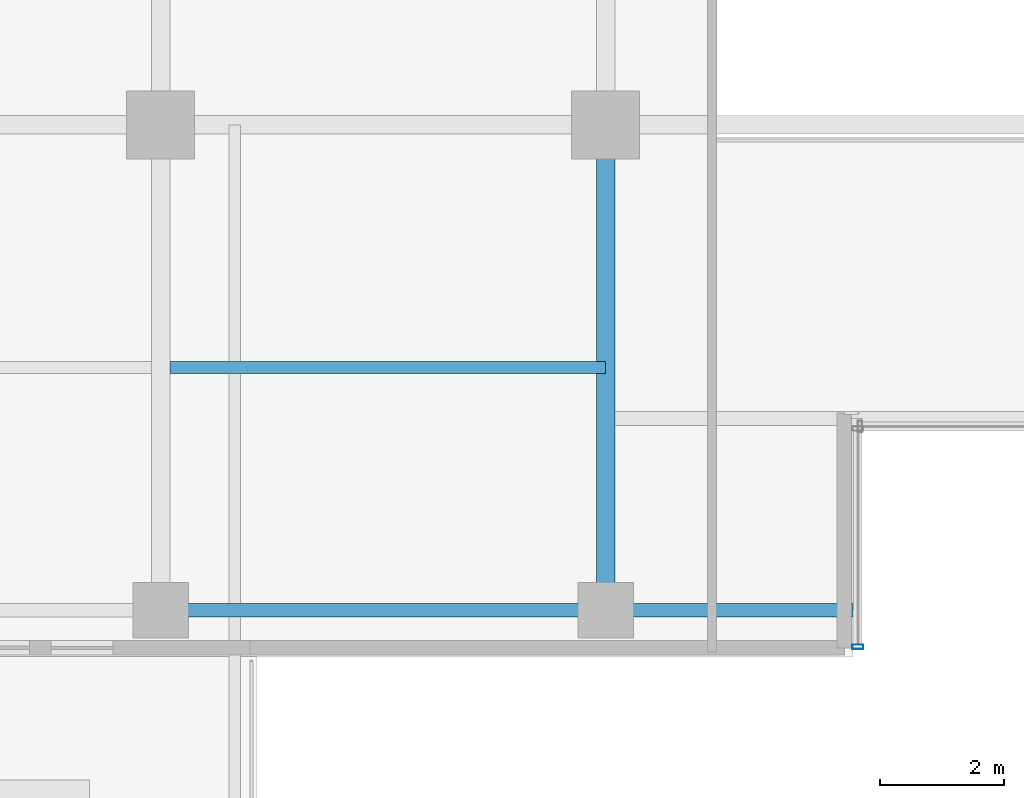
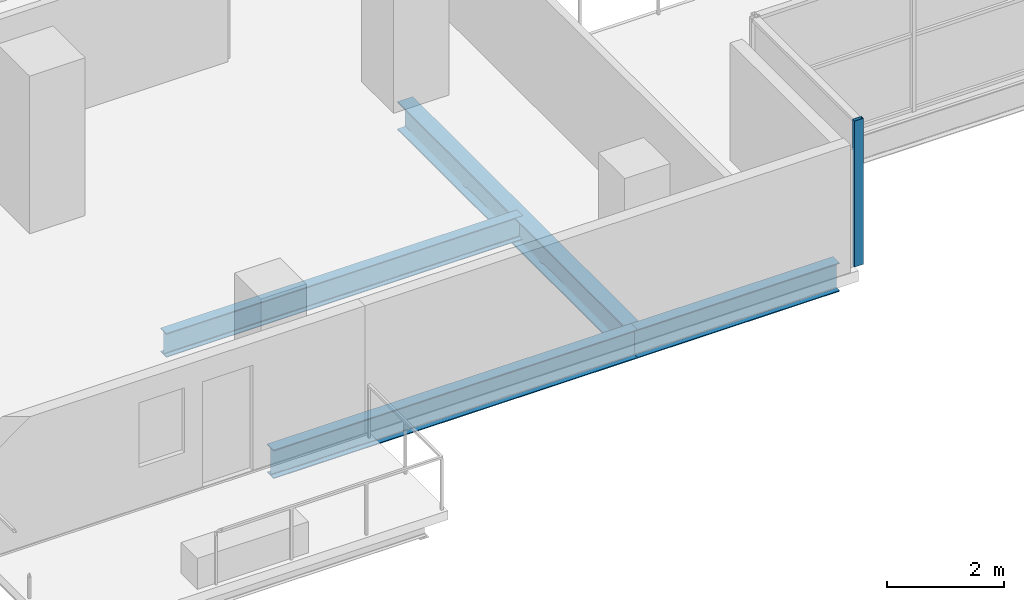
# One storey, part 5 of 26: 4 beams, 1 member, 1 element without a shape of its own.
"""IFC4 building model written with IfcOpenShell, lengths in metres."""

from ifc_helpers import new_model, si_unit, direction, frame, origin, origin_2d, place, context, subcontext, project, spatial, hollow_rectangle, i_section, extrude, source, transform, mapped, material, layer, layer_set, material_profile, profile_set, type_object, element, aggregate, save


model = new_model("IFC4")

# Units and contexts
model_context = context("Model", 3, precision=1e-05, world=origin(), true_north=direction((0.0, 1.0)))
body_context = subcontext(model_context, "Body", "Model", "MODEL_VIEW")
ifc_project = project(units=[si_unit("LENGTHUNIT", "METRE"), si_unit("AREAUNIT", "SQUARE_METRE"), si_unit("VOLUMEUNIT", "CUBIC_METRE"), si_unit("PLANEANGLEUNIT", "RADIAN"), si_unit("MASSUNIT", "GRAM", prefix="KILO")], contexts=[model_context])

# Site, building, storey
site_placement = place(None, origin())
site = spatial("IfcSite", under=ifc_project, at=site_placement, CompositionType="ELEMENT")
building_placement = place(site_placement, origin())
building = spatial("IfcBuilding", under=site, at=building_placement, Name="Zarnakvel Exchange Tower", CompositionType="ELEMENT")
storey_placement = place(building_placement, frame((0.0, 0.0, 70.300048828125)))
storey = spatial("IfcBuildingStorey", under=building, at=storey_placement, Name="L19", CompositionType="ELEMENT", Elevation=70.300048828125)

# Beams
ifc_material_1 = material(Name="Steel S355", Category="steel")
ifc_material_profile_1 = material_profile(ifc_material_1, i_section(OverallWidth=0.199951171875, OverallDepth=0.5, WebThickness=0.01025390625, FlangeThickness=0.01611328125, FilletRadius=0.02099609375, at=origin_2d()))
ifc_profile_set_1 = profile_set([ifc_material_profile_1], Name="Steel S355")
beam_type_1 = type_object("IfcBeamType", Name="B-04", PredefinedType="JOIST", material=ifc_profile_set_1)
beam_1_placement = place(storey_placement, frame((-14.25, -13.52490234375, -0.47509765625), z_axis=(1.0, 0.0, 0.0), x_axis=(0.0, 1.0, 0.0)))
element("IfcBeam", 1, at=beam_1_placement, inside=storey, type_object=beam_type_1, Name="L19 Composite Floor Secondary Joist", PredefinedType="JOIST", context=body_context, shape_type="SweptSolid", body=[
    extrude(i_section(OverallWidth=0.199951171875, OverallDepth=0.5, WebThickness=0.01025390625, FlangeThickness=0.01611328125, FilletRadius=0.02099609375, at=origin_2d()), origin(), (0.0, 0.0, 1.0), 7.050048828125),
])
ifc_material_profile_2 = material_profile(ifc_material_1, i_section(OverallWidth=0.300048828125, OverallDepth=0.60009765625, WebThickness=0.015380859375, FlangeThickness=0.030029296875, FilletRadius=0.027099609375, at=origin_2d()))
ifc_profile_set_2 = profile_set([ifc_material_profile_2], Name="Steel S355")
beam_type_2 = type_object("IfcBeamType", Name="G-04", PredefinedType="BEAM", material=ifc_profile_set_2)
beam_2_placement = place(storey_placement, frame((-7.199951171875, -17.449951171875, -0.525146484375), z_axis=(0.0, 1.0, 0.0), x_axis=(-1.0, 0.0, 0.0)))
element("IfcBeam", 2, at=beam_2_placement, inside=storey, type_object=beam_type_2, Name="L19 Tower N-S Frame Beam", PredefinedType="BEAM", context=body_context, shape_type="SweptSolid", body=[
    extrude(i_section(OverallWidth=0.300048828125, OverallDepth=0.60009765625, WebThickness=0.015380859375, FlangeThickness=0.030029296875, FilletRadius=0.027099609375, at=origin_2d()), origin(), (0.0, 0.0, 1.0), 7.849853515625),
])
ifc_material_profile_3 = material_profile(ifc_material_1, i_section(OverallWidth=0.219970703125, OverallDepth=0.60009765625, WebThickness=0.011962890625, FlangeThickness=0.01904296875, FilletRadius=0.02392578125, at=origin_2d()))
ifc_profile_set_3 = profile_set([ifc_material_profile_3], Name="Steel S355")
beam_type_3 = type_object("IfcBeamType", Name="SP-01", PredefinedType="SPANDREL", material=ifc_profile_set_3)
beam_3_placement = place(storey_placement, frame((-14.39990234375, -17.449951171875, -0.525146484375), z_axis=(1.0, 0.0, 0.0), x_axis=(0.0, 1.0, 0.0)))
element("IfcBeam", 3, at=beam_3_placement, inside=storey, type_object=beam_type_3, Name="L19 Tower E-W Frame Beam", PredefinedType="SPANDREL", context=body_context, shape_type="SweptSolid", body=[
    extrude(i_section(OverallWidth=0.219970703125, OverallDepth=0.60009765625, WebThickness=0.011962890625, FlangeThickness=0.01904296875, FilletRadius=0.02392578125, at=origin_2d()), origin(), (0.0, 0.0, 1.0), 7.199951171875),
])
beam_4_placement = place(storey_placement, frame((-7.199951171875, -17.449951171875, -0.525146484375), z_axis=(1.0, 0.0, 0.0), x_axis=(0.0, 1.0, 0.0)))
element("IfcBeam", 4, at=beam_4_placement, inside=storey, type_object=beam_type_3, Name="L19 South Slot West Jamb Spandrel", PredefinedType="SPANDREL", context=body_context, shape_type="SweptSolid", body=[
    extrude(i_section(OverallWidth=0.219970703125, OverallDepth=0.60009765625, WebThickness=0.011962890625, FlangeThickness=0.01904296875, FilletRadius=0.02392578125, at=origin_2d()), origin(), (0.0, 0.0, 1.0), 4.0),
])

# Curtain wall, member
ifc_material_2 = material(Name="Architectural Bronze Anodised Aluminium", Category="aluminium")
ifc_layer = layer(ifc_material_2, 0.179931640625)
ifc_layer_set = layer_set([ifc_layer], Name="Architectural Bronze Anodised Aluminium")
curtain_wall_type = type_object("IfcCurtainWallType", Name="CW-05", PredefinedType="NOTDEFINED", material=ifc_layer_set)
curtain_wall_placement = place(storey_placement, origin())
curtain_wall = element("IfcCurtainWall", 5, at=curtain_wall_placement, inside=storey, type_object=curtain_wall_type, Name="L19 Curtain Wall CW-L19-SLW (CW-05)", PredefinedType="NOTDEFINED")
ifc_material_profile_4 = material_profile(ifc_material_2, hollow_rectangle(XDim=0.179931640625, YDim=0.070068359375, WallThickness=0.00390625, at=origin_2d()))
ifc_profile_set_4 = profile_set([ifc_material_profile_4], Name="Architectural Bronze Anodised Aluminium")
member_type = type_object("IfcMemberType", Name="CWM-05", PredefinedType="MULLION", material=ifc_profile_set_4)
shared_shape = source(origin(), body_context, "Body", "SweptSolid", [
    extrude(hollow_rectangle(XDim=0.179931640625, YDim=0.070068359375, WallThickness=0.00390625, at=origin_2d()), origin(), (0.0, 0.0, 1.0), 3.054931640625),
])
member_placement = place(storey_placement, frame((-3.1201171875, -18.044921875, 0.0), z_axis=(0.0, 0.0, 1.0), x_axis=(-1.0, 0.0, 0.0)))
member = element("IfcMember", 6, at=member_placement, type_object=member_type, Name="CW-05 mullion 1", PredefinedType="MULLION", context=body_context, shape_type="MappedRepresentation", body=[
    mapped(shared_shape, transform((0.0, 0.0, 0.0), x_axis=(1.0, 0.0, 0.0), y_axis=(0.0, 1.0, 0.0), z_axis=(0.0, 0.0, 1.0), scale=1.0)),
])
aggregate(curtain_wall, [member])

save(model, "model.ifc")
